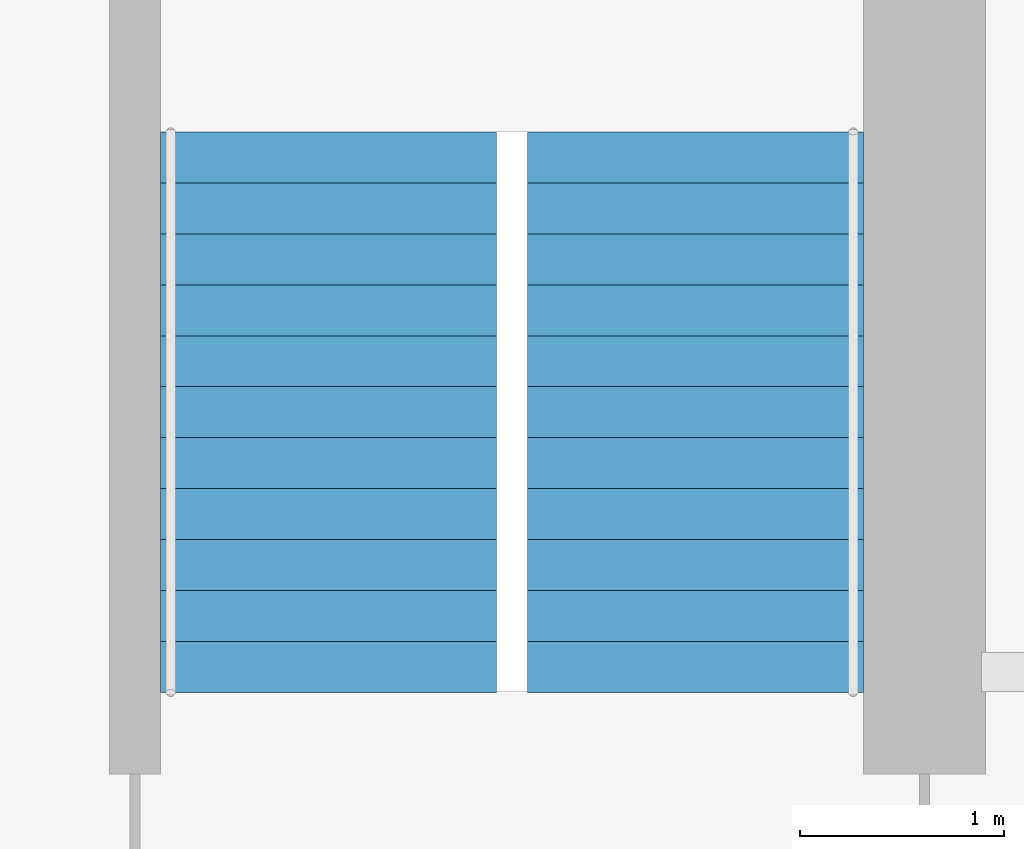
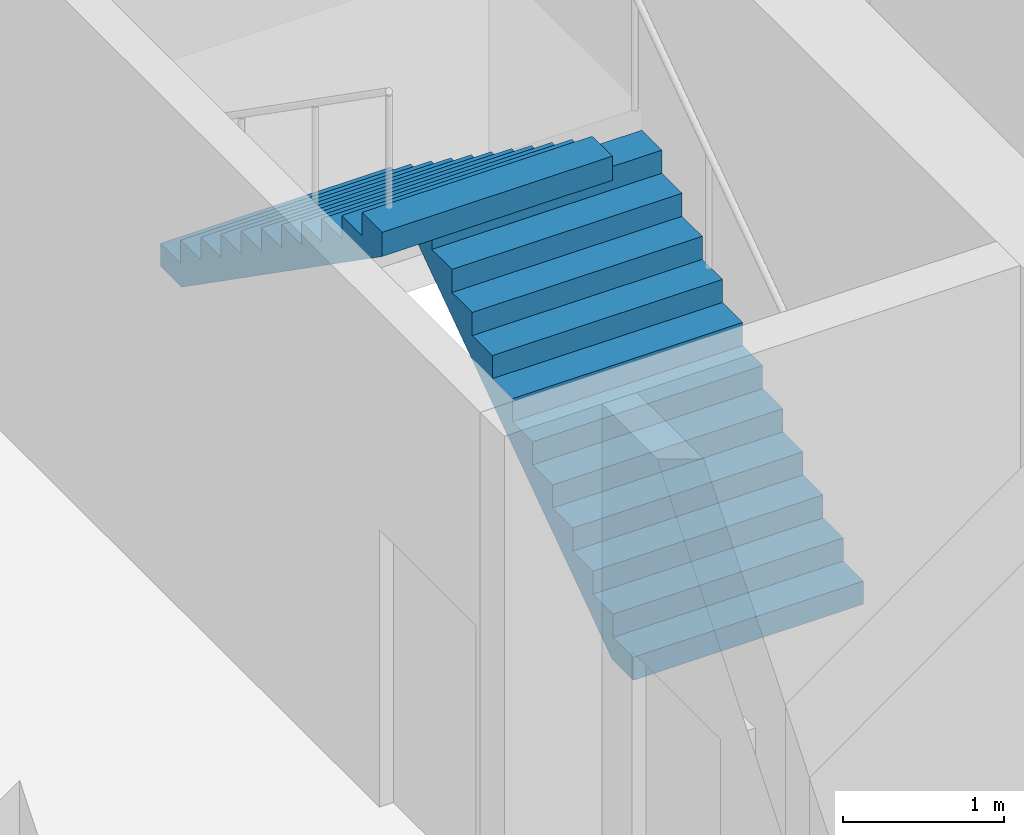
# One storey, part 10 of 11: 2 stair flights, 1 element without a shape of its own.
"""IFC4 building model written with IfcOpenShell, lengths in metres."""

from ifc_helpers import new_model, si_unit, direction, frame, origin, place, context, subcontext, project, spatial, polyline, outline, extrude, material, type_object, element, aggregate, save


model = new_model("IFC4")

# Units and contexts
model_context = context("Model", 3, precision=1e-05, world=origin(), true_north=direction((0.0, 1.0)))
body_context = subcontext(model_context, "Body", "Model", "MODEL_VIEW")
ifc_project = project(units=[si_unit("LENGTHUNIT", "METRE"), si_unit("AREAUNIT", "SQUARE_METRE"), si_unit("VOLUMEUNIT", "CUBIC_METRE"), si_unit("PLANEANGLEUNIT", "RADIAN"), si_unit("MASSUNIT", "GRAM", prefix="KILO")], contexts=[model_context])

# Site, building, storey
site_placement = place(None, origin())
site = spatial("IfcSite", under=ifc_project, at=site_placement, CompositionType="ELEMENT")
building_placement = place(site_placement, origin())
building = spatial("IfcBuilding", under=site, at=building_placement, Name="Ogive Exchange Tower", CompositionType="ELEMENT")
storey_placement = place(building_placement, frame((0.0, 0.0, 293.39990234375)))
storey = spatial("IfcBuildingStorey", under=building, at=storey_placement, Name="L64", CompositionType="ELEMENT", Elevation=293.39990234375)

# Stair, stair flights
ifc_material = material(Name="Concrete C40/50", Category="concrete")
stair_type = type_object("IfcStairType", Name="Exit stair 1650 wide", PredefinedType="HALF_TURN_STAIR", material=ifc_material)
stair_placement = place(storey_placement, origin())
stair = element("IfcStair", 1, at=stair_placement, inside=storey, type_object=stair_type, Name="L64 exit stair ST4", PredefinedType="HALF_TURN_STAIR")
stair_flight_type = type_object("IfcStairFlightType", Name="Stair flight 1650 wide", PredefinedType="STRAIGHT", material=ifc_material)
stair_flight_1_placement = place(storey_placement, frame((20.175048828125, 20.800048828125, 0.0), z_axis=(0.0, 0.0, 1.0), x_axis=(0.0, 1.0, 0.0)))
stair_flight_1 = element("IfcStairFlight", 2, at=stair_flight_1_placement, type_object=stair_flight_type, Name="ST4 flight 1", NumberOfRisers=12, NumberOfTreads=11, PredefinedType="STRAIGHT", RiserHeight=0.175, TreadLength=0.25, context=body_context, shape_type="SweptSolid", body=[
    extrude(outline(polyline([(0.0, 0.0), (0.0, 0.175048828125), (0.25, 0.175048828125), (0.25, 0.35009765625), (0.5, 0.35009765625), (0.5, 0.52490234375), (0.75, 0.52490234375), (0.75, 0.699951171875), (1.0, 0.699951171875), (1.0, 0.875), (1.25, 0.875), (1.25, 1.050048828125), (1.5, 1.050048828125), (1.5, 1.22509765625), (1.75, 1.22509765625), (1.75, 1.39990234375), (2.0, 1.39990234375), (2.0, 1.574951171875), (2.25, 1.574951171875), (2.25, 1.75), (2.5, 1.75), (2.5, 1.925048828125), (2.75, 1.925048828125), (2.75, 2.10009765625), (2.75, 1.741943359375), (0.261474609375, 0.0), (0.0, 0.0)])), frame((0.0, 0.824951171875, 0.0), z_axis=(0.0, -1.0, 0.0), x_axis=(1.0, 0.0, 0.0)), (0.0, 0.0, 1.0), 1.64990234375),
])
stair_flight_2_placement = place(storey_placement, frame((18.375, 23.550048828125, 2.10009765625), z_axis=(0.0, 0.0, 1.0), x_axis=(0.0, -1.0, 0.0)))
stair_flight_2 = element("IfcStairFlight", 3, at=stair_flight_2_placement, type_object=stair_flight_type, Name="ST4 flight 2", NumberOfRisers=12, NumberOfTreads=11, PredefinedType="STRAIGHT", RiserHeight=0.175, TreadLength=0.25, context=body_context, shape_type="SweptSolid", body=[
    extrude(outline(polyline([(0.0, 0.0), (0.0, 0.175048828125), (0.25, 0.175048828125), (0.25, 0.35009765625), (0.5, 0.35009765625), (0.5, 0.52490234375), (0.75, 0.52490234375), (0.75, 0.699951171875), (1.0, 0.699951171875), (1.0, 0.875), (1.25, 0.875), (1.25, 1.050048828125), (1.5, 1.050048828125), (1.5, 1.22509765625), (1.75, 1.22509765625), (1.75, 1.39990234375), (2.0, 1.39990234375), (2.0, 1.574951171875), (2.25, 1.574951171875), (2.25, 1.75), (2.5, 1.75), (2.5, 1.925048828125), (2.75, 1.925048828125), (2.75, 2.10009765625), (2.75, 1.741943359375), (0.261474609375, 0.0), (0.0, 0.0)])), frame((0.0, 0.824951171875, 0.0), z_axis=(0.0, -1.0, 0.0), x_axis=(1.0, 0.0, 0.0)), (0.0, 0.0, 1.0), 1.64990234375),
])
aggregate(stair, [stair_flight_1, stair_flight_2])

save(model, "model.ifc")
